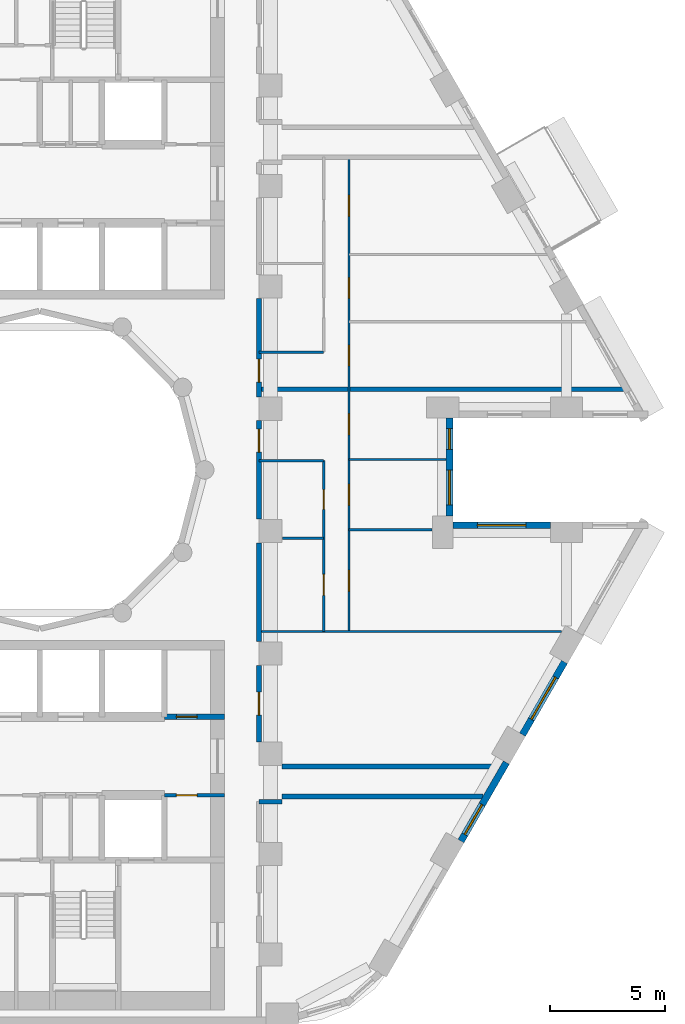
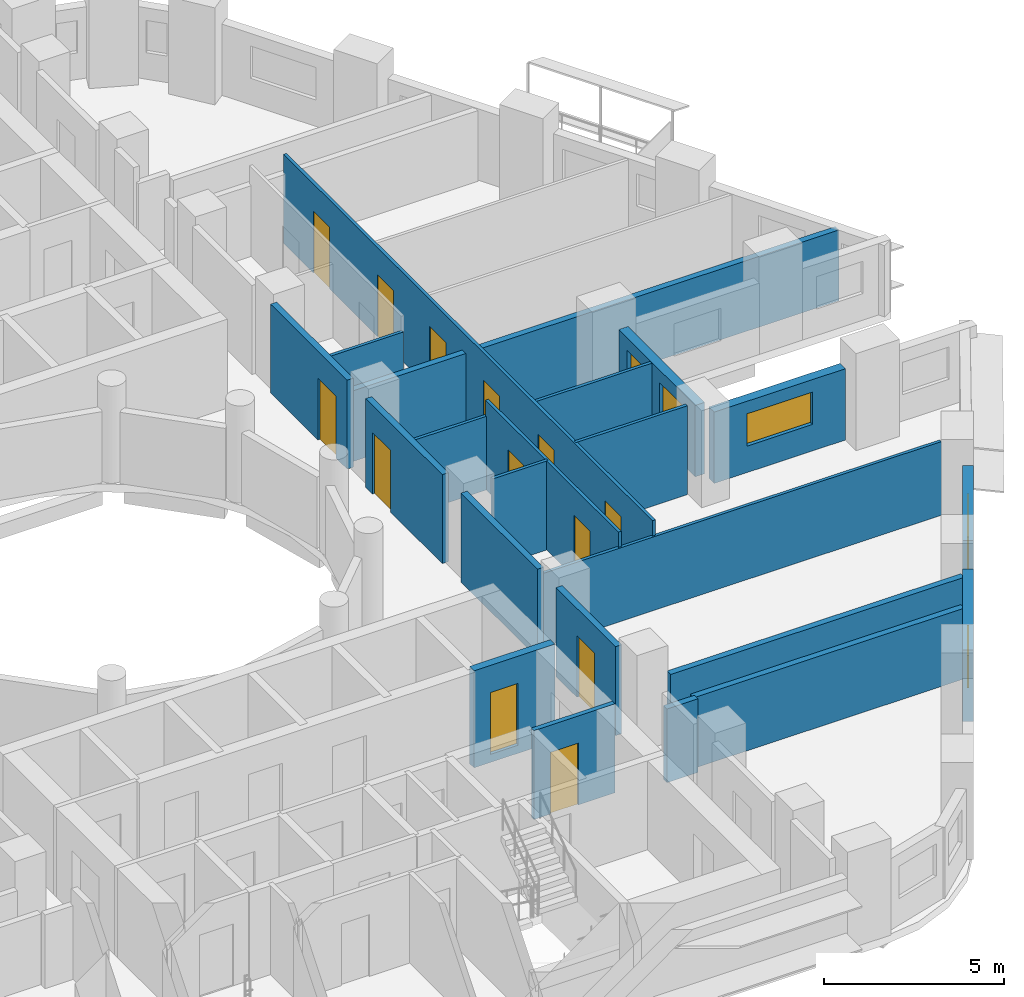
# One storey, part 5 of 13: 22 walls, 13 doors, 5 windows, 18 openings.
"""IFC4 building model written with IfcOpenShell, lengths in metres."""

from ifc_helpers import new_model, si_unit, direction, frame, frame_2d, origin, place, context, subcontext, project, spatial, rectangle, extrude, material, layer, layer_set, type_object, element, fill, save


model = new_model("IFC4")

# Units and contexts
model_context = context("Model", 3, precision=1e-05, world=origin(), true_north=direction((0.0, 1.0)))
body_context = subcontext(model_context, "Body", "Model", "MODEL_VIEW")
ifc_project = project(units=[si_unit("LENGTHUNIT", "METRE"), si_unit("AREAUNIT", "SQUARE_METRE"), si_unit("VOLUMEUNIT", "CUBIC_METRE"), si_unit("PLANEANGLEUNIT", "RADIAN"), si_unit("MASSUNIT", "GRAM", prefix="KILO")], contexts=[model_context])

# Site, building, storey
site_placement = place(None, origin())
site = spatial("IfcSite", under=ifc_project, at=site_placement, CompositionType="ELEMENT")
building_placement = place(site_placement, origin())
building = spatial("IfcBuilding", under=site, at=building_placement, Name="Nakaniwa Court", CompositionType="ELEMENT")
storey_placement = place(building_placement, frame((0.0, 0.0, 81.0)))
storey = spatial("IfcBuildingStorey", under=building, at=storey_placement, Name="L20", CompositionType="ELEMENT", Elevation=81.0)

# Wall, opening, door
ifc_material_1 = material(Name="Acoustic double stud partition")
ifc_layer_1 = layer(ifc_material_1, 0.199951171875)
ifc_layer_set_1 = layer_set([ifc_layer_1], Name="Acoustic double stud partition")
wall_type_1 = type_object("IfcWallType", Name="Acoustic double stud partition 200", PredefinedType="PARTITIONING", material=ifc_layer_set_1)
wall_1_placement = place(storey_placement, frame((89.5, 71.532958984375, 0.0), z_axis=(0.0, 0.0, 1.0), x_axis=(0.0, -1.0, 0.0)))
wall_1 = element("IfcWall", 1, at=wall_1_placement, inside=storey, type_object=wall_type_1, Name="Partition PW-072", PredefinedType="PARTITIONING", context=body_context, shape_type="SweptSolid", body=[
    extrude(rectangle(XDim=3.31591796875, YDim=0.199951171875, at=frame_2d((1.657958984375, 0.0))), origin(), (0.0, 0.0, 1.0), 3.02490234375),
])
opening_1_placement = place(wall_1_placement, frame((1.157958984375, 0.0, 0.0)))
opening_1 = element("IfcOpeningElement", 2, at=opening_1_placement, cuts=wall_1, Name="Opening D-02-01", PredefinedType="OPENING", context=body_context, shape_type="SweptSolid", body=[
    extrude(rectangle(XDim=1.0, YDim=2.10009765625, at=frame_2d((0.5, 1.050048828125))), frame((0.0, 0.10986328125, 0.0), z_axis=(0.0, -1.0, 0.0), x_axis=(1.0, 0.0, 0.0)), (0.0, 0.0, 1.0), 0.219970703125),
])
ifc_material_2 = material(Name="Solid core timber door set, black veneer", Category="wood")
door_type_1 = type_object("IfcDoorType", Name="Internal door 1000", OperationType="NOTDEFINED", PredefinedType="DOOR", material=ifc_material_2)
door_1_placement = place(opening_1_placement, origin())
door_1 = element("IfcDoor", 3, at=door_1_placement, inside=storey, type_object=door_type_1, Name="Door D-02-01 L20-027", OperationType="SINGLE_SWING_RIGHT", OverallHeight=2.10009765625, OverallWidth=1.0, PredefinedType="DOOR", context=body_context, shape_type="SweptSolid", body=[
    extrude(rectangle(XDim=1.0, YDim=2.10009765625, at=frame_2d((0.5, 1.050048828125))), frame((0.0, 0.02490234375, 0.0), z_axis=(0.0, -1.0, 0.0), x_axis=(1.0, 0.0, 0.0)), (0.0, 0.0, 1.0), 0.050048828125),
])
fill(opening_1, door_1)

# Wall
wall_2_placement = place(storey_placement, frame((89.5, 72.56689453125, 0.0), z_axis=(0.0, 0.0, 1.0), x_axis=(0.0, 1.0, 0.0)))
element("IfcWall", 4, at=wall_2_placement, inside=storey, type_object=wall_type_1, Name="Partition PW-073", PredefinedType="PARTITIONING", context=body_context, shape_type="SweptSolid", body=[
    extrude(rectangle(XDim=4.26611328125, YDim=0.199951171875, at=frame_2d((2.133056640625, 0.0))), origin(), (0.0, 0.0, 1.0), 3.02490234375),
])

# Wall, opening, door
wall_3_placement = place(storey_placement, frame((89.5, 82.133056640625, 0.0), z_axis=(0.0, 0.0, 1.0), x_axis=(0.0, -1.0, 0.0)))
wall_3 = element("IfcWall", 5, at=wall_3_placement, inside=storey, type_object=wall_type_1, Name="Partition PW-074", PredefinedType="PARTITIONING", context=body_context, shape_type="SweptSolid", body=[
    extrude(rectangle(XDim=4.26611328125, YDim=0.199951171875, at=frame_2d((2.133056640625, 0.0))), origin(), (0.0, 0.0, 1.0), 3.02490234375),
])
opening_2_placement = place(wall_3_placement, frame((0.367919921875, 0.0, 0.0)))
opening_2 = element("IfcOpeningElement", 6, at=opening_2_placement, cuts=wall_3, Name="Opening D-01-01", PredefinedType="OPENING", context=body_context, shape_type="SweptSolid", body=[
    extrude(rectangle(XDim=1.0, YDim=2.10009765625, at=frame_2d((0.5, 1.050048828125))), frame((0.0, 0.10986328125, 0.0), z_axis=(0.0, -1.0, 0.0), x_axis=(1.0, 0.0, 0.0)), (0.0, 0.0, 1.0), 0.219970703125),
])
door_type_2 = type_object("IfcDoorType", Name="Flat entrance door 1000", OperationType="NOTDEFINED", PredefinedType="DOOR", material=ifc_material_2)
door_2_placement = place(opening_2_placement, origin())
door_2 = element("IfcDoor", 7, at=door_2_placement, inside=storey, type_object=door_type_2, Name="Door D-01-01 L20-028", OperationType="SINGLE_SWING_LEFT", OverallHeight=2.10009765625, OverallWidth=1.0, PredefinedType="DOOR", context=body_context, shape_type="SweptSolid", body=[
    extrude(rectangle(XDim=1.0, YDim=2.10009765625, at=frame_2d((0.5, 1.050048828125))), frame((0.0, 0.02490234375, 0.0), z_axis=(0.0, -1.0, 0.0), x_axis=(1.0, 0.0, 0.0)), (0.0, 0.0, 1.0), 0.050048828125),
])
fill(opening_2, door_2)

wall_4_placement = place(storey_placement, frame((89.5, 87.43310546875, 0.0), z_axis=(0.0, 0.0, 1.0), x_axis=(0.0, -1.0, 0.0)))
wall_4 = element("IfcWall", 8, at=wall_4_placement, inside=storey, type_object=wall_type_1, Name="Partition PW-075", PredefinedType="PARTITIONING", context=body_context, shape_type="SweptSolid", body=[
    extrude(rectangle(XDim=4.26611328125, YDim=0.199951171875, at=frame_2d((2.133056640625, 0.0))), origin(), (0.0, 0.0, 1.0), 3.02490234375),
])
opening_3_placement = place(wall_4_placement, frame((2.633056640625, 0.0, 0.0)))
opening_3 = element("IfcOpeningElement", 9, at=opening_3_placement, cuts=wall_4, Name="Opening D-01-02", PredefinedType="OPENING", context=body_context, shape_type="SweptSolid", body=[
    extrude(rectangle(XDim=1.0, YDim=2.10009765625, at=frame_2d((0.5, 1.050048828125))), frame((0.0, 0.10986328125, 0.0), z_axis=(0.0, -1.0, 0.0), x_axis=(1.0, 0.0, 0.0)), (0.0, 0.0, 1.0), 0.219970703125),
])
door_3_placement = place(opening_3_placement, origin())
door_3 = element("IfcDoor", 10, at=door_3_placement, inside=storey, type_object=door_type_2, Name="Door D-01-02 L20-034", OperationType="SINGLE_SWING_LEFT", OverallHeight=2.10009765625, OverallWidth=1.0, PredefinedType="DOOR", context=body_context, shape_type="SweptSolid", body=[
    extrude(rectangle(XDim=1.0, YDim=2.10009765625, at=frame_2d((0.5, 1.050048828125))), frame((0.0, 0.02490234375, 0.0), z_axis=(0.0, -1.0, 0.0), x_axis=(1.0, 0.0, 0.0)), (0.0, 0.0, 1.0), 0.050048828125),
])
fill(opening_3, door_3)

# Walls
wall_5_placement = place(storey_placement, frame((90.5, 67.14990234375, 0.0), z_axis=(0.0, 0.0, 1.0), x_axis=(1.0, 0.0, 0.0)))
element("IfcWall", 11, at=wall_5_placement, inside=storey, type_object=wall_type_1, Name="Partition PW-090", PredefinedType="PARTITIONING", context=body_context, shape_type="SweptSolid", body=[
    extrude(rectangle(XDim=9.447509765625, YDim=0.199951171875, at=frame_2d((4.7236328125, 0.0))), origin(), (0.0, 0.0, 1.0), 2.405029296875),
])
wall_6_placement = place(storey_placement, frame((90.5, 65.85009765625, 0.0), z_axis=(0.0, 0.0, 1.0), x_axis=(1.0, 0.0, 0.0)))
element("IfcWall", 12, at=wall_6_placement, inside=storey, type_object=wall_type_1, Name="Partition PW-092", PredefinedType="PARTITIONING", context=body_context, shape_type="SweptSolid", body=[
    extrude(rectangle(XDim=8.697021484375, YDim=0.199951171875, at=frame_2d((4.3486328125, 0.0))), origin(), (0.0, 0.0, 1.0), 2.405029296875),
])
wall_7_placement = place(storey_placement, frame((89.5, 65.625, 0.0), z_axis=(0.0, 0.0, 1.0), x_axis=(1.0, 0.0, 0.0)))
element("IfcWall", 13, at=wall_7_placement, inside=storey, type_object=wall_type_1, Name="Partition PW-094", PredefinedType="PARTITIONING", context=body_context, shape_type="SweptSolid", body=[
    extrude(rectangle(XDim=1.0, YDim=0.199951171875, at=frame_2d((0.5, 0.0))), origin(), (0.0, 0.0, 1.0), 2.5048828125),
])
wall_8_placement = place(storey_placement, frame((89.5, 83.5, 0.0), z_axis=(0.0, 0.0, 1.0), x_axis=(1.0, 0.0, 0.0)))
element("IfcWall", 14, at=wall_8_placement, inside=storey, type_object=wall_type_1, Name="Partition PW-113", PredefinedType="PARTITIONING", context=body_context, shape_type="SweptSolid", body=[
    extrude(rectangle(XDim=15.845703125, YDim=0.199951171875, at=frame_2d((7.9228515625, 0.0))), origin(), (0.0, 0.0, 1.0), 2.405029296875),
])

# Wall, opening, window
ifc_material_3 = material(Name="Charcoal ceramic cladding")
ifc_layer_2 = layer(ifc_material_3, 0.02, Name="Ceramic cladding")
ifc_material_4 = material(Name="Ventilated air cavity")
ifc_layer_3 = layer(ifc_material_4, 0.04, ventilated=True, Name="Ventilated cavity")
ifc_material_5 = material(Name="Mineral wool insulation")
ifc_layer_4 = layer(ifc_material_5, 0.1, Name="Insulation")
ifc_material_6 = material(Name="Cement bonded sheathing board")
ifc_layer_5 = layer(ifc_material_6, 0.012, Name="Sheathing")
ifc_material_7 = material(Name="Cold-formed galvanised stud frame with mineral wool infill")
ifc_layer_6 = layer(ifc_material_7, 0.1, Name="Stud frame")
ifc_material_8 = material(Name="Fire-rated gypsum plasterboard lining")
ifc_layer_7 = layer(ifc_material_8, 0.028, Name="Lining")
ifc_layer_set_2 = layer_set([ifc_layer_2, ifc_layer_3, ifc_layer_4, ifc_layer_5, ifc_layer_6, ifc_layer_7], Name="Charcoal ceramic faced external wall system")
wall_type_2 = type_object("IfcWallType", Name="Black ceramic faced external wall 300", PredefinedType="SOLIDWALL", material=ifc_layer_set_2)
wall_9_placement = place(storey_placement, frame((98.25341796875, 63.91552734375, 0.0), z_axis=(0.0, 0.0, 1.0), x_axis=(0.499957037901, 0.866050206543, 0.0)))
wall_9 = element("IfcWall", 15, at=wall_9_placement, inside=storey, type_object=wall_type_2, Name="L20 external wall 30", PredefinedType="SOLIDWALL", context=body_context, shape_type="SweptSolid", body=[
    extrude(rectangle(XDim=3.933837890625, YDim=0.300048828125, at=frame_2d((1.966796875, 0.0))), origin(), (0.0, 0.0, 1.0), 2.425048828125),
])
opening_4_placement = place(wall_9_placement, frame((0.32958984375, 0.0, 0.89990234375)))
opening_4 = element("IfcOpeningElement", 16, at=opening_4_placement, cuts=wall_9, Name="Opening W5.30", PredefinedType="OPENING", context=body_context, shape_type="SweptSolid", body=[
    extrude(rectangle(XDim=1.5, YDim=1.10009765625, at=frame_2d((0.75, 0.550048828125))), frame((0.0, 0.159912109375, 0.0), z_axis=(0.0, -1.0, 0.0), x_axis=(1.0, 0.0, 0.0)), (0.0, 0.0, 1.0), 0.320068359375),
])
ifc_material_9 = material(Name="Black anodised aluminium frame with dark low-E laminated double glazing", Category="aluminium")
window_type_1 = type_object("IfcWindowType", Name="Dark glass window 1500x1100 sill 900", PartitioningType="SINGLE_PANEL", PredefinedType="WINDOW", material=ifc_material_9)
window_1_placement = place(opening_4_placement, origin())
window_1 = element("IfcWindow", 17, at=window_1_placement, inside=storey, type_object=window_type_1, Name="L20 habitable room window 30-0", OverallHeight=1.10009765625, OverallWidth=1.5, PartitioningType="SINGLE_PANEL", PredefinedType="WINDOW", context=body_context, shape_type="SweptSolid", body=[
    extrude(rectangle(XDim=1.5, YDim=1.10009765625, at=frame_2d((0.75, 0.550048828125))), frame((0.0, 0.030029296875, 0.0), z_axis=(0.0, -1.0, 0.0), x_axis=(1.0, 0.0, 0.0)), (0.0, 0.0, 1.0), 0.06005859375),
])
fill(opening_4, window_1)

wall_10_placement = place(storey_placement, frame((100.916259765625, 68.528076171875, 0.0), z_axis=(0.0, 0.0, 1.0), x_axis=(0.500009139881, 0.866020126807, 0.0)))
wall_10 = element("IfcWall", 18, at=wall_10_placement, inside=storey, type_object=wall_type_2, Name="L20 external wall 31", PredefinedType="SOLIDWALL", context=body_context, shape_type="SweptSolid", body=[
    extrude(rectangle(XDim=3.63671875, YDim=0.300048828125, at=frame_2d((1.818359375, 0.0))), origin(), (0.0, 0.0, 1.0), 2.425048828125),
])
opening_5_placement = place(wall_10_placement, frame((0.768310546875, 0.0, 0.89990234375)))
opening_5 = element("IfcOpeningElement", 19, at=opening_5_placement, cuts=wall_10, Name="Opening W7.31", PredefinedType="OPENING", context=body_context, shape_type="SweptSolid", body=[
    extrude(rectangle(XDim=2.10009765625, YDim=1.10009765625, at=frame_2d((1.050048828125, 0.550048828125))), frame((0.0, 0.159912109375, 0.0), z_axis=(0.0, -1.0, 0.0), x_axis=(1.0, 0.0, 0.0)), (0.0, 0.0, 1.0), 0.320068359375),
])
window_type_2 = type_object("IfcWindowType", Name="Dark glass window 2100x1100 sill 900", PartitioningType="SINGLE_PANEL", PredefinedType="WINDOW", material=ifc_material_9)
window_2_placement = place(opening_5_placement, origin())
window_2 = element("IfcWindow", 20, at=window_2_placement, inside=storey, type_object=window_type_2, Name="L20 habitable room window 31-0", OverallHeight=1.10009765625, OverallWidth=2.10009765625, PartitioningType="SINGLE_PANEL", PredefinedType="WINDOW", context=body_context, shape_type="SweptSolid", body=[
    extrude(rectangle(XDim=2.10009765625, YDim=1.10009765625, at=frame_2d((1.050048828125, 0.550048828125))), frame((0.0, 0.030029296875, 0.0), z_axis=(0.0, -1.0, 0.0), x_axis=(1.0, 0.0, 0.0)), (0.0, 0.0, 1.0), 0.06005859375),
])
fill(opening_5, window_2)

wall_11_placement = place(storey_placement, frame((102.126953125, 77.60009765625, 0.0), z_axis=(0.0, 0.0, 1.0), x_axis=(-1.0, 0.0, 0.0)))
wall_11 = element("IfcWall", 21, at=wall_11_placement, inside=storey, type_object=wall_type_2, Name="L20 external wall 34", PredefinedType="SOLIDWALL", context=body_context, shape_type="SweptSolid", body=[
    extrude(rectangle(XDim=4.22265625, YDim=0.300048828125, at=frame_2d((2.111328125, 0.0))), origin(), (0.0, 0.0, 1.0), 2.425048828125),
])
opening_6_placement = place(wall_11_placement, frame((1.061279296875, 0.0, 0.89990234375)))
opening_6 = element("IfcOpeningElement", 22, at=opening_6_placement, cuts=wall_11, Name="Opening W7.34", PredefinedType="OPENING", context=body_context, shape_type="SweptSolid", body=[
    extrude(rectangle(XDim=2.10009765625, YDim=1.10009765625, at=frame_2d((1.050048828125, 0.550048828125))), frame((0.0, 0.159912109375, 0.0), z_axis=(0.0, -1.0, 0.0), x_axis=(1.0, 0.0, 0.0)), (0.0, 0.0, 1.0), 0.320068359375),
])
window_3_placement = place(opening_6_placement, origin())
window_3 = element("IfcWindow", 23, at=window_3_placement, inside=storey, type_object=window_type_2, Name="L20 living window 34-0", OverallHeight=1.10009765625, OverallWidth=2.10009765625, PartitioningType="SINGLE_PANEL", PredefinedType="WINDOW", context=body_context, shape_type="SweptSolid", body=[
    extrude(rectangle(XDim=2.10009765625, YDim=1.10009765625, at=frame_2d((1.050048828125, 0.550048828125))), frame((0.0, 0.030029296875, 0.0), z_axis=(0.0, -1.0, 0.0), x_axis=(1.0, 0.0, 0.0)), (0.0, 0.0, 1.0), 0.06005859375),
])
fill(opening_6, window_3)

# Wall, openings, windows
wall_12_placement = place(storey_placement, frame((97.75830078125, 77.99609375, 0.0), z_axis=(0.0, 0.0, 1.0), x_axis=(0.0, 1.0, 0.0)))
wall_12 = element("IfcWall", 24, at=wall_12_placement, inside=storey, type_object=wall_type_2, Name="L20 external wall 35", PredefinedType="SOLIDWALL", context=body_context, shape_type="SweptSolid", body=[
    extrude(rectangle(XDim=4.2578125, YDim=0.300048828125, at=frame_2d((2.12890625, 0.0))), origin(), (0.0, 0.0, 1.0), 2.425048828125),
])
opening_7_placement = place(wall_12_placement, frame((0.48974609375, 0.0, 0.89990234375)))
opening_7 = element("IfcOpeningElement", 25, at=opening_7_placement, cuts=wall_12, Name="Opening W5.35", PredefinedType="OPENING", context=body_context, shape_type="SweptSolid", body=[
    extrude(rectangle(XDim=1.5, YDim=1.10009765625, at=frame_2d((0.75, 0.550048828125))), frame((0.0, 0.159912109375, 0.0), z_axis=(0.0, -1.0, 0.0), x_axis=(1.0, 0.0, 0.0)), (0.0, 0.0, 1.0), 0.320068359375),
])
opening_8_placement = place(wall_12_placement, frame((2.894775390625, 0.0, 0.89990234375)))
opening_8 = element("IfcOpeningElement", 26, at=opening_8_placement, cuts=wall_12, Name="Opening W9.36", PredefinedType="OPENING", context=body_context, shape_type="SweptSolid", body=[
    extrude(rectangle(XDim=0.89990234375, YDim=1.10009765625, at=frame_2d((0.449951171875, 0.550048828125))), frame((0.0, 0.159912109375, 0.0), z_axis=(0.0, -1.0, 0.0), x_axis=(1.0, 0.0, 0.0)), (0.0, 0.0, 1.0), 0.320068359375),
])
window_4_placement = place(opening_7_placement, origin())
window_4 = element("IfcWindow", 27, at=window_4_placement, inside=storey, type_object=window_type_1, Name="L20 bedroom window 35-0", OverallHeight=1.10009765625, OverallWidth=1.5, PartitioningType="SINGLE_PANEL", PredefinedType="WINDOW", context=body_context, shape_type="SweptSolid", body=[
    extrude(rectangle(XDim=1.5, YDim=1.10009765625, at=frame_2d((0.75, 0.550048828125))), frame((0.0, 0.030029296875, 0.0), z_axis=(0.0, -1.0, 0.0), x_axis=(1.0, 0.0, 0.0)), (0.0, 0.0, 1.0), 0.06005859375),
])
fill(opening_7, window_4)
window_type_3 = type_object("IfcWindowType", Name="Dark glass window 900x1100 sill 900", PartitioningType="SINGLE_PANEL", PredefinedType="WINDOW", material=ifc_material_9)
window_5_placement = place(opening_8_placement, origin())
window_5 = element("IfcWindow", 28, at=window_5_placement, inside=storey, type_object=window_type_3, Name="L20 bedroom window 35-1", OverallHeight=1.10009765625, OverallWidth=0.89990234375, PartitioningType="SINGLE_PANEL", PredefinedType="WINDOW", context=body_context, shape_type="SweptSolid", body=[
    extrude(rectangle(XDim=0.89990234375, YDim=1.10009765625, at=frame_2d((0.449951171875, 0.550048828125))), frame((0.0, 0.030029296875, 0.0), z_axis=(0.0, -1.0, 0.0), x_axis=(1.0, 0.0, 0.0)), (0.0, 0.0, 1.0), 0.06005859375),
])
fill(opening_8, window_5)

# Wall, opening, door
ifc_material_10 = material(Name="Blockwork partition", Category="masonry")
ifc_layer_8 = layer(ifc_material_10, 0.14990234375)
ifc_layer_set_3 = layer_set([ifc_layer_8], Name="Blockwork partition")
wall_type_3 = type_object("IfcWallType", Name="Blockwork partition 150", PredefinedType="PARTITIONING", material=ifc_layer_set_3)
wall_13_placement = place(storey_placement, frame((88.0, 65.89990234375, 0.0), z_axis=(0.0, 0.0, 1.0), x_axis=(-1.0, 0.0, 0.0)))
wall_13 = element("IfcWall", 29, at=wall_13_placement, inside=storey, type_object=wall_type_3, Name="Partition PW-052", PredefinedType="PARTITIONING", context=body_context, shape_type="SweptSolid", body=[
    extrude(rectangle(XDim=2.60302734375, YDim=0.14990234375, at=frame_2d((1.301513671875, 0.0))), origin(), (0.0, 0.0, 1.0), 3.02490234375),
])
opening_9_placement = place(wall_13_placement, frame((1.175048828125, 0.0, 0.0)))
opening_9 = element("IfcOpeningElement", 30, at=opening_9_placement, cuts=wall_13, Name="Opening D-05-14", PredefinedType="OPENING", context=body_context, shape_type="SweptSolid", body=[
    extrude(rectangle(XDim=0.89990234375, YDim=2.10009765625, at=frame_2d((0.449951171875, 1.050048828125))), frame((0.0, 0.0849609375, 0.0), z_axis=(0.0, -1.0, 0.0), x_axis=(1.0, 0.0, 0.0)), (0.0, 0.0, 1.0), 0.169921875),
])
ifc_material_11 = material(Name="Fire rated steel door set", Category="steel")
door_type_3 = type_object("IfcDoorType", Name="Service room door 900", OperationType="NOTDEFINED", PredefinedType="DOOR", material=ifc_material_11)
door_4_placement = place(opening_9_placement, origin())
door_4 = element("IfcDoor", 31, at=door_4_placement, inside=storey, type_object=door_type_3, Name="Door D-05-14 L20-021", OperationType="SINGLE_SWING_RIGHT", OverallHeight=2.10009765625, OverallWidth=0.89990234375, PredefinedType="DOOR", context=body_context, shape_type="SweptSolid", body=[
    extrude(rectangle(XDim=0.89990234375, YDim=2.10009765625, at=frame_2d((0.449951171875, 1.050048828125))), frame((0.0, 0.02490234375, 0.0), z_axis=(0.0, -1.0, 0.0), x_axis=(1.0, 0.0, 0.0)), (0.0, 0.0, 1.0), 0.050048828125),
])
fill(opening_9, door_4)

ifc_material_12 = material(Name="Concrete C80/100", Category="concrete")
ifc_layer_9 = layer(ifc_material_12, 0.25)
ifc_layer_set_4 = layer_set([ifc_layer_9], Name="Concrete C80/100")
wall_type_4 = type_object("IfcWallType", Name="Concrete shaft wall 250 C80", PredefinedType="SHEAR", material=ifc_layer_set_4)
wall_14_placement = place(storey_placement, frame((85.39990234375, 69.300048828125, -0.27490234375), z_axis=(0.0, 0.0, 1.0), x_axis=(1.0, 0.0, 0.0)))
wall_14 = element("IfcWall", 32, at=wall_14_placement, inside=storey, type_object=wall_type_4, Name="Core wall SW-48", PredefinedType="SHEAR", context=body_context, shape_type="SweptSolid", body=[
    extrude(rectangle(XDim=2.60009765625, YDim=0.25, at=frame_2d((1.300048828125, 0.0))), origin(), (0.0, 0.0, 1.0), 3.2998046875),
])
opening_10_placement = place(wall_14_placement, frame((0.52490234375, 0.0, 0.27490234375)))
opening_10 = element("IfcOpeningElement", 33, at=opening_10_placement, cuts=wall_14, Name="Opening D-05-10", PredefinedType="OPENING", context=body_context, shape_type="SweptSolid", body=[
    extrude(rectangle(XDim=0.89990234375, YDim=2.10009765625, at=frame_2d((0.449951171875, 1.050048828125))), frame((0.0, 0.135009765625, 0.0), z_axis=(0.0, -1.0, 0.0), x_axis=(1.0, 0.0, 0.0)), (0.0, 0.0, 1.0), 0.27001953125),
])
door_5_placement = place(opening_10_placement, origin())
door_5 = element("IfcDoor", 34, at=door_5_placement, inside=storey, type_object=door_type_3, Name="Door D-05-10 L20-015", OperationType="SINGLE_SWING_RIGHT", OverallHeight=2.10009765625, OverallWidth=0.89990234375, PredefinedType="DOOR", context=body_context, shape_type="SweptSolid", body=[
    extrude(rectangle(XDim=0.89990234375, YDim=2.10009765625, at=frame_2d((0.449951171875, 1.050048828125))), frame((0.0, 0.02490234375, 0.0), z_axis=(0.0, -1.0, 0.0), x_axis=(1.0, 0.0, 0.0)), (0.0, 0.0, 1.0), 0.050048828125),
])
fill(opening_10, door_5)

# Walls
ifc_material_13 = material(Name="Single stud plasterboard partition")
ifc_layer_10 = layer(ifc_material_13, 0.10009765625)
ifc_layer_set_5 = layer_set([ifc_layer_10], Name="Single stud plasterboard partition")
wall_type_5 = type_object("IfcWallType", Name="Single stud plasterboard partition 100", PredefinedType="PARTITIONING", material=ifc_layer_set_5)
wall_15_placement = place(storey_placement, frame((89.5, 73.0, 0.0), z_axis=(0.0, 0.0, 1.0), x_axis=(1.0, 0.0, 0.0)))
element("IfcWall", 35, at=wall_15_placement, inside=storey, type_object=wall_type_5, Name="Partition PW-107", PredefinedType="PARTITIONING", context=body_context, shape_type="SweptSolid", body=[
    extrude(rectangle(XDim=13.109130859375, YDim=0.10009765625, at=frame_2d((6.5546875, 0.0))), origin(), (0.0, 0.0, 1.0), 2.5048828125),
])
wall_16_placement = place(storey_placement, frame((90.52001953125, 77.035888671875, 0.0), z_axis=(0.0, 0.0, 1.0), x_axis=(1.0, 0.0, 0.0)))
element("IfcWall", 36, at=wall_16_placement, inside=storey, type_object=wall_type_5, Name="Partition PW-108", PredefinedType="PARTITIONING", context=body_context, shape_type="SweptSolid", body=[
    extrude(rectangle(XDim=1.780029296875, YDim=0.10009765625, at=frame_2d((0.89013671875, 0.0))), origin(), (0.0, 0.0, 1.0), 3.02490234375),
])

# Wall, openings, doors
wall_17_placement = place(storey_placement, frame((92.300048828125, 73.0, 0.0), z_axis=(0.0, 0.0, 1.0), x_axis=(0.0, 1.0, 0.0)))
wall_17 = element("IfcWall", 37, at=wall_17_placement, inside=storey, type_object=wall_type_5, Name="Partition PW-109", PredefinedType="PARTITIONING", context=body_context, shape_type="SweptSolid", body=[
    extrude(rectangle(XDim=7.39990234375, YDim=0.10009765625, at=frame_2d((3.699951171875, 0.0))), origin(), (0.0, 0.0, 1.0), 3.02490234375),
])
opening_11_placement = place(wall_17_placement, frame((1.568115234375, 0.0, 0.0)))
opening_11 = element("IfcOpeningElement", 38, at=opening_11_placement, cuts=wall_17, Name="Opening D-33-01", PredefinedType="OPENING", context=body_context, shape_type="SweptSolid", body=[
    extrude(rectangle(XDim=0.89990234375, YDim=2.10009765625, at=frame_2d((0.449951171875, 1.050048828125))), frame((0.0, 0.06005859375, 0.0), z_axis=(0.0, -1.0, 0.0), x_axis=(1.0, 0.0, 0.0)), (0.0, 0.0, 1.0), 0.1201171875),
])
opening_12_placement = place(wall_17_placement, frame((5.29296875, 0.0, 0.0)))
opening_12 = element("IfcOpeningElement", 39, at=opening_12_placement, cuts=wall_17, Name="Opening D-03-01", PredefinedType="OPENING", context=body_context, shape_type="SweptSolid", body=[
    extrude(rectangle(XDim=0.85009765625, YDim=2.10009765625, at=frame_2d((0.425048828125, 1.050048828125))), frame((0.0, 0.06005859375, 0.0), z_axis=(0.0, -1.0, 0.0), x_axis=(1.0, 0.0, 0.0)), (0.0, 0.0, 1.0), 0.1201171875),
])
ifc_material_14 = material(Name="Moisture sealed timber door set", Category="wood")
door_type_4 = type_object("IfcDoorType", Name="Bathroom door 850", OperationType="NOTDEFINED", PredefinedType="DOOR", material=ifc_material_14)
door_6_placement = place(opening_12_placement, origin())
door_6 = element("IfcDoor", 40, at=door_6_placement, inside=storey, type_object=door_type_4, Name="Door D-03-01 L20-030", OperationType="SINGLE_SWING_LEFT", OverallHeight=2.10009765625, OverallWidth=0.85009765625, PredefinedType="DOOR", context=body_context, shape_type="SweptSolid", body=[
    extrude(rectangle(XDim=0.85009765625, YDim=2.10009765625, at=frame_2d((0.425048828125, 1.050048828125))), frame((0.0, 0.02490234375, 0.0), z_axis=(0.0, -1.0, 0.0), x_axis=(1.0, 0.0, 0.0)), (0.0, 0.0, 1.0), 0.050048828125),
])
fill(opening_12, door_6)
door_type_5 = type_object("IfcDoorType", Name="Internal door 900", OperationType="NOTDEFINED", PredefinedType="DOOR", material=ifc_material_2)
door_7_placement = place(opening_11_placement, origin())
door_7 = element("IfcDoor", 41, at=door_7_placement, inside=storey, type_object=door_type_5, Name="Door D-33-01 L20-029", OperationType="SINGLE_SWING_RIGHT", OverallHeight=2.10009765625, OverallWidth=0.89990234375, PredefinedType="DOOR", context=body_context, shape_type="SweptSolid", body=[
    extrude(rectangle(XDim=0.89990234375, YDim=2.10009765625, at=frame_2d((0.449951171875, 1.050048828125))), frame((0.0, 0.02490234375, 0.0), z_axis=(0.0, -1.0, 0.0), x_axis=(1.0, 0.0, 0.0)), (0.0, 0.0, 1.0), 0.050048828125),
])
fill(opening_11, door_7)

# Wall
wall_18_placement = place(storey_placement, frame((89.5, 80.39990234375, 0.0), z_axis=(0.0, 0.0, 1.0), x_axis=(1.0, 0.0, 0.0)))
element("IfcWall", 42, at=wall_18_placement, inside=storey, type_object=wall_type_5, Name="Partition PW-111", PredefinedType="PARTITIONING", context=body_context, shape_type="SweptSolid", body=[
    extrude(rectangle(XDim=2.800048828125, YDim=0.10009765625, at=frame_2d((1.39990234375, 0.0))), origin(), (0.0, 0.0, 1.0), 2.5048828125),
])

# Wall, openings, doors
wall_19_placement = place(storey_placement, frame((93.39990234375, 93.550048828125, 0.0), z_axis=(0.0, 0.0, 1.0), x_axis=(0.0, -1.0, 0.0)))
wall_19 = element("IfcWall", 43, at=wall_19_placement, inside=storey, type_object=wall_type_5, Name="Partition PW-112", PredefinedType="PARTITIONING", context=body_context, shape_type="SweptSolid", body=[
    extrude(rectangle(XDim=20.550048828125, YDim=0.10009765625, at=frame_2d((10.27490234375, 0.0))), origin(), (0.0, 0.0, 1.0), 3.02490234375),
])
opening_13_placement = place(wall_19_placement, frame((17.89794921875, 0.0, 0.0)))
opening_13 = element("IfcOpeningElement", 44, at=opening_13_placement, cuts=wall_19, Name="Opening D-33-02", PredefinedType="OPENING", context=body_context, shape_type="SweptSolid", body=[
    extrude(rectangle(XDim=0.89990234375, YDim=2.10009765625, at=frame_2d((0.449951171875, 1.050048828125))), frame((0.0, 0.06005859375, 0.0), z_axis=(0.0, -1.0, 0.0), x_axis=(1.0, 0.0, 0.0)), (0.0, 0.0, 1.0), 0.1201171875),
])
opening_14_placement = place(wall_19_placement, frame((14.173095703125, 0.0, 0.0)))
opening_14 = element("IfcOpeningElement", 45, at=opening_14_placement, cuts=wall_19, Name="Opening D-33-03", PredefinedType="OPENING", context=body_context, shape_type="SweptSolid", body=[
    extrude(rectangle(XDim=0.89990234375, YDim=2.10009765625, at=frame_2d((0.449951171875, 1.050048828125))), frame((0.0, 0.06005859375, 0.0), z_axis=(0.0, -1.0, 0.0), x_axis=(1.0, 0.0, 0.0)), (0.0, 0.0, 1.0), 0.1201171875),
])
opening_15_placement = place(wall_19_placement, frame((11.1240234375, 0.0, 0.0)))
opening_15 = element("IfcOpeningElement", 46, at=opening_15_placement, cuts=wall_19, Name="Opening D-33-04", PredefinedType="OPENING", context=body_context, shape_type="SweptSolid", body=[
    extrude(rectangle(XDim=0.89990234375, YDim=2.10009765625, at=frame_2d((0.449951171875, 1.050048828125))), frame((0.0, 0.06005859375, 0.0), z_axis=(0.0, -1.0, 0.0), x_axis=(1.0, 0.0, 0.0)), (0.0, 0.0, 1.0), 0.1201171875),
])
opening_16_placement = place(wall_19_placement, frame((8.14111328125, 0.0, 0.0)))
opening_16 = element("IfcOpeningElement", 47, at=opening_16_placement, cuts=wall_19, Name="Opening D-33-06", PredefinedType="OPENING", context=body_context, shape_type="SweptSolid", body=[
    extrude(rectangle(XDim=0.89990234375, YDim=2.10009765625, at=frame_2d((0.449951171875, 1.050048828125))), frame((0.0, 0.06005859375, 0.0), z_axis=(0.0, -1.0, 0.0), x_axis=(1.0, 0.0, 0.0)), (0.0, 0.0, 1.0), 0.1201171875),
])
opening_17_placement = place(wall_19_placement, frame((5.222900390625, 0.0, 0.0)))
opening_17 = element("IfcOpeningElement", 48, at=opening_17_placement, cuts=wall_19, Name="Opening D-33-07", PredefinedType="OPENING", context=body_context, shape_type="SweptSolid", body=[
    extrude(rectangle(XDim=0.89990234375, YDim=2.10009765625, at=frame_2d((0.449951171875, 1.050048828125))), frame((0.0, 0.06005859375, 0.0), z_axis=(0.0, -1.0, 0.0), x_axis=(1.0, 0.0, 0.0)), (0.0, 0.0, 1.0), 0.1201171875),
])
opening_18_placement = place(wall_19_placement, frame((1.656982421875, 0.0, 0.0)))
opening_18 = element("IfcOpeningElement", 49, at=opening_18_placement, cuts=wall_19, Name="Opening D-33-08", PredefinedType="OPENING", context=body_context, shape_type="SweptSolid", body=[
    extrude(rectangle(XDim=0.89990234375, YDim=2.10009765625, at=frame_2d((0.449951171875, 1.050048828125))), frame((0.0, 0.06005859375, 0.0), z_axis=(0.0, -1.0, 0.0), x_axis=(1.0, 0.0, 0.0)), (0.0, 0.0, 1.0), 0.1201171875),
])
door_8_placement = place(opening_13_placement, origin())
door_8 = element("IfcDoor", 50, at=door_8_placement, inside=storey, type_object=door_type_5, Name="Door D-33-02 L20-031", OperationType="SINGLE_SWING_RIGHT", OverallHeight=2.10009765625, OverallWidth=0.89990234375, PredefinedType="DOOR", context=body_context, shape_type="SweptSolid", body=[
    extrude(rectangle(XDim=0.89990234375, YDim=2.10009765625, at=frame_2d((0.449951171875, 1.050048828125))), frame((0.0, 0.02490234375, 0.0), z_axis=(0.0, -1.0, 0.0), x_axis=(1.0, 0.0, 0.0)), (0.0, 0.0, 1.0), 0.050048828125),
])
fill(opening_13, door_8)
door_9_placement = place(opening_14_placement, origin())
door_9 = element("IfcDoor", 51, at=door_9_placement, inside=storey, type_object=door_type_5, Name="Door D-33-03 L20-032", OperationType="SINGLE_SWING_LEFT", OverallHeight=2.10009765625, OverallWidth=0.89990234375, PredefinedType="DOOR", context=body_context, shape_type="SweptSolid", body=[
    extrude(rectangle(XDim=0.89990234375, YDim=2.10009765625, at=frame_2d((0.449951171875, 1.050048828125))), frame((0.0, 0.02490234375, 0.0), z_axis=(0.0, -1.0, 0.0), x_axis=(1.0, 0.0, 0.0)), (0.0, 0.0, 1.0), 0.050048828125),
])
fill(opening_14, door_9)
door_10_placement = place(opening_15_placement, origin())
door_10 = element("IfcDoor", 52, at=door_10_placement, inside=storey, type_object=door_type_5, Name="Door D-33-04 L20-033", OperationType="SINGLE_SWING_RIGHT", OverallHeight=2.10009765625, OverallWidth=0.89990234375, PredefinedType="DOOR", context=body_context, shape_type="SweptSolid", body=[
    extrude(rectangle(XDim=0.89990234375, YDim=2.10009765625, at=frame_2d((0.449951171875, 1.050048828125))), frame((0.0, 0.02490234375, 0.0), z_axis=(0.0, -1.0, 0.0), x_axis=(1.0, 0.0, 0.0)), (0.0, 0.0, 1.0), 0.050048828125),
])
fill(opening_15, door_10)
door_11_placement = place(opening_16_placement, origin())
door_11 = element("IfcDoor", 53, at=door_11_placement, inside=storey, type_object=door_type_5, Name="Door D-33-06 L20-037", OperationType="SINGLE_SWING_RIGHT", OverallHeight=2.10009765625, OverallWidth=0.89990234375, PredefinedType="DOOR", context=body_context, shape_type="SweptSolid", body=[
    extrude(rectangle(XDim=0.89990234375, YDim=2.10009765625, at=frame_2d((0.449951171875, 1.050048828125))), frame((0.0, 0.02490234375, 0.0), z_axis=(0.0, -1.0, 0.0), x_axis=(1.0, 0.0, 0.0)), (0.0, 0.0, 1.0), 0.050048828125),
])
fill(opening_16, door_11)
door_12_placement = place(opening_17_placement, origin())
door_12 = element("IfcDoor", 54, at=door_12_placement, inside=storey, type_object=door_type_5, Name="Door D-33-07 L20-038", OperationType="SINGLE_SWING_LEFT", OverallHeight=2.10009765625, OverallWidth=0.89990234375, PredefinedType="DOOR", context=body_context, shape_type="SweptSolid", body=[
    extrude(rectangle(XDim=0.89990234375, YDim=2.10009765625, at=frame_2d((0.449951171875, 1.050048828125))), frame((0.0, 0.02490234375, 0.0), z_axis=(0.0, -1.0, 0.0), x_axis=(1.0, 0.0, 0.0)), (0.0, 0.0, 1.0), 0.050048828125),
])
fill(opening_17, door_12)
door_13_placement = place(opening_18_placement, origin())
door_13 = element("IfcDoor", 55, at=door_13_placement, inside=storey, type_object=door_type_5, Name="Door D-33-08 L20-039", OperationType="SINGLE_SWING_RIGHT", OverallHeight=2.10009765625, OverallWidth=0.89990234375, PredefinedType="DOOR", context=body_context, shape_type="SweptSolid", body=[
    extrude(rectangle(XDim=0.89990234375, YDim=2.10009765625, at=frame_2d((0.449951171875, 1.050048828125))), frame((0.0, 0.02490234375, 0.0), z_axis=(0.0, -1.0, 0.0), x_axis=(1.0, 0.0, 0.0)), (0.0, 0.0, 1.0), 0.050048828125),
])
fill(opening_18, door_13)

# Walls
wall_20_placement = place(storey_placement, frame((93.39990234375, 77.403076171875, 0.0), z_axis=(0.0, 0.0, 1.0), x_axis=(1.0, 0.0, 0.0)))
element("IfcWall", 56, at=wall_20_placement, inside=storey, type_object=wall_type_5, Name="Partition PW-114", PredefinedType="PARTITIONING", context=body_context, shape_type="SweptSolid", body=[
    extrude(rectangle(XDim=3.58837890625, YDim=0.10009765625, at=frame_2d((1.794189453125, 0.0))), origin(), (0.0, 0.0, 1.0), 3.02490234375),
])
wall_21_placement = place(storey_placement, frame((93.39990234375, 80.451904296875, 0.0), z_axis=(0.0, 0.0, 1.0), x_axis=(1.0, 0.0, 0.0)))
element("IfcWall", 57, at=wall_21_placement, inside=storey, type_object=wall_type_5, Name="Partition PW-115", PredefinedType="PARTITIONING", context=body_context, shape_type="SweptSolid", body=[
    extrude(rectangle(XDim=4.20849609375, YDim=0.10009765625, at=frame_2d((2.104248046875, 0.0))), origin(), (0.0, 0.0, 1.0), 2.405029296875),
])
wall_22_placement = place(storey_placement, frame((89.5, 85.10009765625, 0.0), z_axis=(0.0, 0.0, 1.0), x_axis=(1.0, 0.0, 0.0)))
element("IfcWall", 58, at=wall_22_placement, inside=storey, type_object=wall_type_5, Name="Partition PW-117", PredefinedType="PARTITIONING", context=body_context, shape_type="SweptSolid", body=[
    extrude(rectangle(XDim=2.800048828125, YDim=0.10009765625, at=frame_2d((1.39990234375, 0.0))), origin(), (0.0, 0.0, 1.0), 2.5048828125),
])

save(model, "model.ifc")
